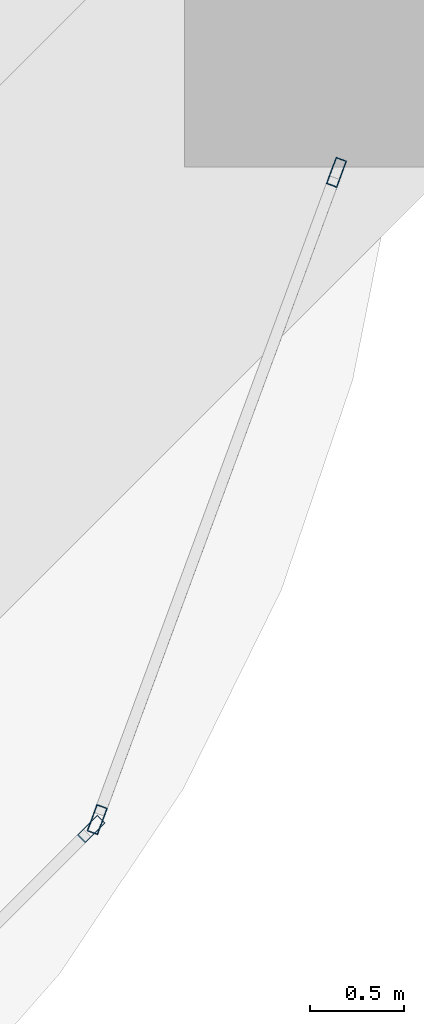
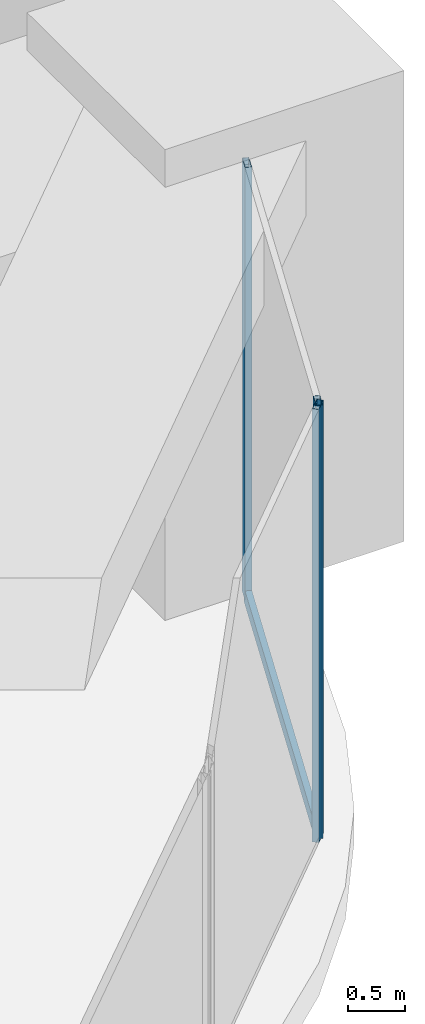
# One storey, part 15 of 35: 4 members, 2 elements without a shape of their own.
"""IFC4 building model written with IfcOpenShell, lengths in metres."""

from ifc_helpers import new_model, si_unit, direction, frame, origin, origin_2d, place, context, subcontext, project, spatial, hollow_rectangle, extrude, material, material_profile, profile_set, type_object, element, aggregate, save


model = new_model("IFC4")

# Units and contexts
model_context = context("Model", 3, precision=1e-05, world=origin(), true_north=direction((0.0, 1.0)))
body_context = subcontext(model_context, "Body", "Model", "MODEL_VIEW")
ifc_project = project(units=[si_unit("LENGTHUNIT", "METRE"), si_unit("AREAUNIT", "SQUARE_METRE"), si_unit("VOLUMEUNIT", "CUBIC_METRE"), si_unit("PLANEANGLEUNIT", "RADIAN"), si_unit("MASSUNIT", "GRAM", prefix="KILO")], contexts=[model_context])

# Site, building, storey
site_placement = place(None, origin())
site = spatial("IfcSite", under=ifc_project, at=site_placement, CompositionType="ELEMENT")
building_placement = place(site_placement, origin())
building = spatial("IfcBuilding", under=site, at=building_placement, Name="Zorevar Civic Tower", CompositionType="ELEMENT")
storey_placement = place(building_placement, frame((0.0, 0.0, 80.0)))
storey = spatial("IfcBuildingStorey", under=building, at=storey_placement, Name="L19", CompositionType="ELEMENT", Elevation=80.0)

# Curtain wall, member
ifc_material_1 = material(Name="Black aluminium louvres", Category="aluminium")
curtain_wall_type = type_object("IfcCurtainWallType", Name="Louvred curtain wall CW6 refuge", PredefinedType="NOTDEFINED", material=ifc_material_1)
curtain_wall_1_placement = place(storey_placement, origin())
curtain_wall_1 = element("IfcCurtainWall", 1, at=curtain_wall_1_placement, inside=storey, type_object=curtain_wall_type, Name="CW6 L19", PredefinedType="NOTDEFINED")
ifc_material_2 = material(Name="Aluminium, black anodised", Category="aluminium")
ifc_material_profile_1 = material_profile(ifc_material_2, hollow_rectangle(XDim=0.06005859375, YDim=0.14990234375, WallThickness=0.00390625, at=origin_2d()), Name="AL 150x60x4")
ifc_profile_set_1 = profile_set([ifc_material_profile_1], Name="Aluminium, black anodised")
member_type_1 = type_object("IfcMemberType", Name="CW6 mullion AL 150x60x4", PredefinedType="MULLION", material=ifc_profile_set_1)
member_1_placement = place(storey_placement, frame((61.3046875, 4.2861328125, 0.0), z_axis=(0.0, 0.0, 1.0), x_axis=(-0.707106781187, 0.707106781187, 0.0)))
member_1 = element("IfcMember", 2, at=member_1_placement, type_object=member_type_1, Name="CW6 mullion 2", PredefinedType="MULLION", context=body_context, shape_type="SweptSolid", body=[
    extrude(hollow_rectangle(XDim=0.06005859375, YDim=0.14990234375, WallThickness=0.00390625, at=origin_2d()), origin(), (0.0, 0.0, 1.0), 4.60009765625),
])
aggregate(curtain_wall_1, [member_1])

# Curtain wall, members
curtain_wall_2_placement = place(storey_placement, origin())
curtain_wall_2 = element("IfcCurtainWall", 3, at=curtain_wall_2_placement, inside=storey, type_object=curtain_wall_type, Name="CW6 L19", PredefinedType="NOTDEFINED")
member_2_placement = place(storey_placement, frame((61.336181640625, 4.33544921875, 0.0), z_axis=(0.0, 0.0, 1.0), x_axis=(-0.937974588163, 0.346704012033, 0.0)))
member_2 = element("IfcMember", 4, at=member_2_placement, type_object=member_type_1, Name="CW6 mullion 1", PredefinedType="MULLION", context=body_context, shape_type="SweptSolid", body=[
    extrude(hollow_rectangle(XDim=0.06005859375, YDim=0.14990234375, WallThickness=0.00390625, at=origin_2d()), origin(), (0.0, 0.0, 1.0), 4.60009765625),
])
member_3_placement = place(storey_placement, frame((62.6064453125, 7.77197265625, 0.0), z_axis=(0.0, 0.0, 1.0), x_axis=(-0.937974588163, 0.346704012033, 0.0)))
member_3 = element("IfcMember", 5, at=member_3_placement, type_object=member_type_1, Name="CW6 mullion 2", PredefinedType="MULLION", context=body_context, shape_type="SweptSolid", body=[
    extrude(hollow_rectangle(XDim=0.06005859375, YDim=0.14990234375, WallThickness=0.00390625, at=origin_2d()), origin(), (0.0, 0.0, 1.0), 4.60009765625),
])
ifc_material_3 = material(Name="Aluminium, black anodised", Category="aluminium")
ifc_material_profile_2 = material_profile(ifc_material_3, hollow_rectangle(XDim=0.06005859375, YDim=0.14990234375, WallThickness=0.00390625, at=origin_2d()), Name="AL 150x60x4")
ifc_profile_set_2 = profile_set([ifc_material_profile_2], Name="Aluminium, black anodised")
member_type_2 = type_object("IfcMemberType", Name="CW6 transom AL 150x60x4", PredefinedType="USERDEFINED", material=ifc_profile_set_2)
member_4_placement = place(storey_placement, frame((61.3466796875, 4.363525390625, 0.030029296875), z_axis=(0.346672169799, 0.93798635741, 0.0), x_axis=(-0.93798635741, 0.346672169799, 0.0)))
member_4 = element("IfcMember", 6, at=member_4_placement, type_object=member_type_2, Name="CW6 sill transom", ObjectType="TRANSOM", PredefinedType="USERDEFINED", context=body_context, shape_type="SweptSolid", body=[
    extrude(hollow_rectangle(XDim=0.06005859375, YDim=0.14990234375, WallThickness=0.00390625, at=origin_2d()), origin(), (0.0, 0.0, 1.0), 3.603515625),
])
aggregate(curtain_wall_2, [member_2, member_3, member_4])

save(model, "model.ifc")
